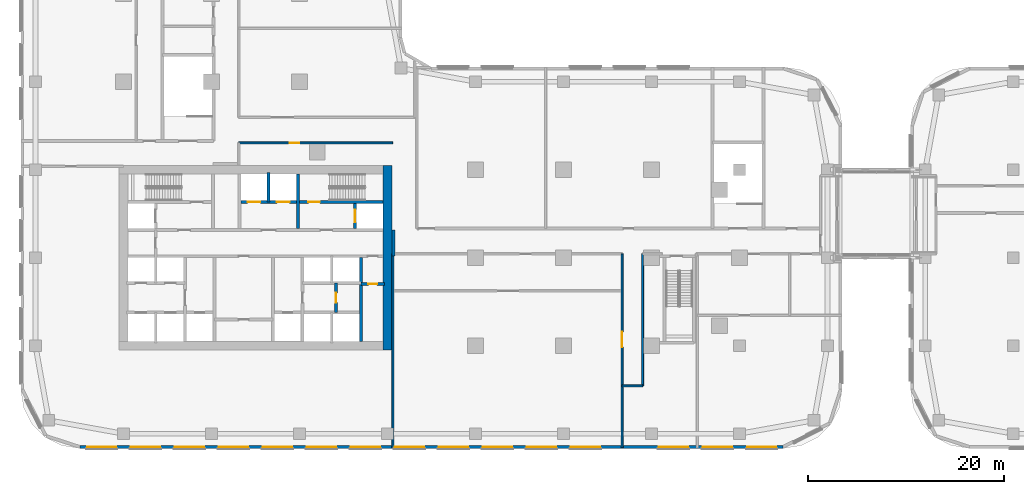
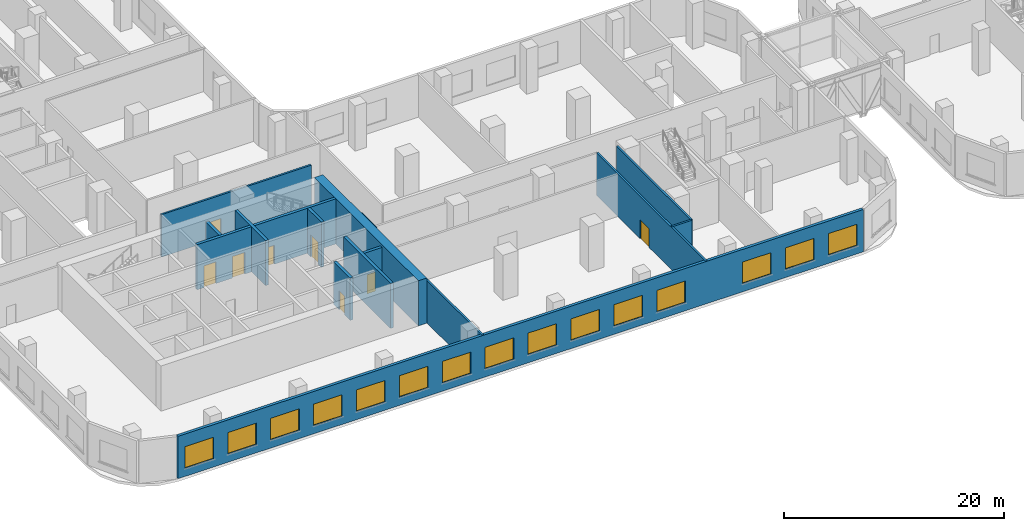
# One storey, part 7 of 33: 15 walls, 15 windows, 8 doors, 23 openings.
"""IFC4 building model written with IfcOpenShell, lengths in metres."""

from ifc_helpers import new_model, si_unit, direction, frame, frame_2d, origin, place, context, subcontext, project, spatial, rectangle, extrude, material, layer, layer_set, type_object, element, fill, save


model = new_model("IFC4")

# Units and contexts
model_context = context("Model", 3, precision=1e-05, world=origin(), true_north=direction((0.0, 1.0)))
body_context = subcontext(model_context, "Body", "Model", "MODEL_VIEW")
ifc_project = project(units=[si_unit("LENGTHUNIT", "METRE"), si_unit("AREAUNIT", "SQUARE_METRE"), si_unit("VOLUMEUNIT", "CUBIC_METRE"), si_unit("PLANEANGLEUNIT", "RADIAN"), si_unit("MASSUNIT", "GRAM", prefix="KILO")], contexts=[model_context])

# Site, building, storey
site_placement = place(None, origin())
site = spatial("IfcSite", under=ifc_project, at=site_placement, CompositionType="ELEMENT")
building_placement = place(site_placement, origin())
building = spatial("IfcBuilding", under=site, at=building_placement, Name="Ogive Portal Towers", CompositionType="ELEMENT")
storey_placement = place(building_placement, frame((0.0, 0.0, 28.5)))
storey = spatial("IfcBuildingStorey", under=building, at=storey_placement, Name="L05", CompositionType="ELEMENT", Elevation=28.5)

# Wall
ifc_material_1 = material(Name="Concrete C60/75", Category="concrete")
ifc_layer_1 = layer(ifc_material_1, 0.300048828125)
ifc_layer_set_1 = layer_set([ifc_layer_1], Name="CORE WALL 300 C60")
wall_type_1 = type_object("IfcWallType", Name="CORE WALL 300 C60", PredefinedType="SHEAR", material=ifc_layer_set_1)
wall_1_placement = place(storey_placement, frame((55.800048828125, 21.949951171875, 0.0), z_axis=(0.0, 0.0, 1.0), x_axis=(0.0, 1.0, 0.0)))
element("IfcWall", 1, at=wall_1_placement, inside=storey, type_object=wall_type_1, Name="Core wall X5 L05", PredefinedType="SHEAR", context=body_context, shape_type="SweptSolid", body=[
    extrude(rectangle(XDim=8.550048828125, YDim=0.300048828125, at=frame_2d((4.27490234375, 0.0))), origin(), (0.0, 0.0, 1.0), 5.0),
])

# Wall, openings, doors
wall_2_placement = place(storey_placement, frame((43.5, 36.199951171875, 0.0), z_axis=(0.0, 0.0, 1.0), x_axis=(1.0, 0.0, 0.0)))
wall_2 = element("IfcWall", 2, at=wall_2_placement, inside=storey, type_object=wall_type_1, Name="Core wall Y3b L05", PredefinedType="SHEAR", context=body_context, shape_type="SweptSolid", body=[
    extrude(rectangle(XDim=14.550048828125, YDim=0.300048828125, at=frame_2d((7.27490234375, 0.0))), origin(), (0.0, 0.0, 1.0), 5.0),
])
opening_1_placement = place(wall_2_placement, frame((6.89990234375, 0.0, 0.0)))
opening_1 = element("IfcOpeningElement", 3, at=opening_1_placement, cuts=wall_2, Name="Opening D107-006", PredefinedType="OPENING", context=body_context, shape_type="SweptSolid", body=[
    extrude(rectangle(XDim=1.199951171875, YDim=2.10009765625, at=frame_2d((0.60009765625, 1.050048828125))), frame((0.0, 0.16015625, 0.0), z_axis=(0.0, -1.0, 0.0), x_axis=(1.0, 0.0, 0.0)), (0.0, 0.0, 1.0), 0.320068359375),
])
opening_2_placement = place(wall_2_placement, frame((0.699951171875, 0.0, 0.0)))
opening_2 = element("IfcOpeningElement", 4, at=opening_2_placement, cuts=wall_2, Name="Opening D107-015", PredefinedType="OPENING", context=body_context, shape_type="SweptSolid", body=[
    extrude(rectangle(XDim=1.300048828125, YDim=2.39990234375, at=frame_2d((0.64990234375, 1.199951171875))), frame((0.0, 0.16015625, 0.0), z_axis=(0.0, -1.0, 0.0), x_axis=(1.0, 0.0, 0.0)), (0.0, 0.0, 1.0), 0.320068359375),
])
opening_3_placement = place(wall_2_placement, frame((3.699951171875, 0.0, 0.0)))
opening_3 = element("IfcOpeningElement", 5, at=opening_3_placement, cuts=wall_2, Name="Opening D107-016", PredefinedType="OPENING", context=body_context, shape_type="SweptSolid", body=[
    extrude(rectangle(XDim=1.300048828125, YDim=2.39990234375, at=frame_2d((0.64990234375, 1.199951171875))), frame((0.0, 0.16015625, 0.0), z_axis=(0.0, -1.0, 0.0), x_axis=(1.0, 0.0, 0.0)), (0.0, 0.0, 1.0), 0.320068359375),
])
ifc_material_2 = material(Name="Stainless steel", Category="steel")
door_type_1 = type_object("IfcDoorType", Name="DT-LD-1300x2400", OperationType="SLIDING_TO_LEFT", PredefinedType="DOOR", material=ifc_material_2)
door_1_placement = place(opening_2_placement, origin())
door_1 = element("IfcDoor", 6, at=door_1_placement, inside=storey, type_object=door_type_1, Name="Door D107-015", OperationType="SLIDING_TO_LEFT", OverallHeight=2.39990234375, OverallWidth=1.300048828125, PredefinedType="DOOR", context=body_context, shape_type="SweptSolid", body=[
    extrude(rectangle(XDim=1.300048828125, YDim=2.39990234375, at=frame_2d((0.64990234375, 1.199951171875))), frame((0.0, 0.02490234375, 0.0), z_axis=(0.0, -1.0, 0.0), x_axis=(1.0, 0.0, 0.0)), (0.0, 0.0, 1.0), 0.050048828125),
])
fill(opening_2, door_1)
door_2_placement = place(opening_3_placement, origin())
door_2 = element("IfcDoor", 7, at=door_2_placement, inside=storey, type_object=door_type_1, Name="Door D107-016", OperationType="SLIDING_TO_LEFT", OverallHeight=2.39990234375, OverallWidth=1.300048828125, PredefinedType="DOOR", context=body_context, shape_type="SweptSolid", body=[
    extrude(rectangle(XDim=1.300048828125, YDim=2.39990234375, at=frame_2d((0.64990234375, 1.199951171875))), frame((0.0, 0.02490234375, 0.0), z_axis=(0.0, -1.0, 0.0), x_axis=(1.0, 0.0, 0.0)), (0.0, 0.0, 1.0), 0.050048828125),
])
fill(opening_3, door_2)
ifc_material_3 = material(Name="Steel fire door", Category="steel")
door_type_2 = type_object("IfcDoorType", Name="DT-SWING-1200x2100-FD90S", OperationType="SINGLE_SWING_LEFT", PredefinedType="DOOR", material=ifc_material_3)
door_3_placement = place(opening_1_placement, origin())
door_3 = element("IfcDoor", 8, at=door_3_placement, inside=storey, type_object=door_type_2, Name="Door D107-006", OperationType="SINGLE_SWING_LEFT", OverallHeight=2.10009765625, OverallWidth=1.199951171875, PredefinedType="DOOR", context=body_context, shape_type="SweptSolid", body=[
    extrude(rectangle(XDim=1.199951171875, YDim=2.10009765625, at=frame_2d((0.60009765625, 1.050048828125))), frame((0.0, 0.02490234375, 0.0), z_axis=(0.0, -1.0, 0.0), x_axis=(1.0, 0.0, 0.0)), (0.0, 0.0, 1.0), 0.050048828125),
])
fill(opening_1, door_3)

# Wall
wall_3_placement = place(storey_placement, frame((49.35009765625, 33.5, 0.0), z_axis=(0.0, 0.0, 1.0), x_axis=(0.0, 1.0, 0.0)))
element("IfcWall", 9, at=wall_3_placement, inside=storey, type_object=wall_type_1, Name="Core wall X9 L05", PredefinedType="SHEAR", context=body_context, shape_type="SweptSolid", body=[
    extrude(rectangle(XDim=5.550048828125, YDim=0.300048828125, at=frame_2d((2.77490234375, 0.0))), origin(), (0.0, 0.0, 1.0), 5.0),
])

# Wall, opening, door
wall_4_placement = place(storey_placement, frame((55.199951171875, 33.5, 0.0), z_axis=(0.0, 0.0, 1.0), x_axis=(0.0, 1.0, 0.0)))
wall_4 = element("IfcWall", 10, at=wall_4_placement, inside=storey, type_object=wall_type_1, Name="Core wall X10 L05", PredefinedType="SHEAR", context=body_context, shape_type="SweptSolid", body=[
    extrude(rectangle(XDim=2.550048828125, YDim=0.300048828125, at=frame_2d((1.27490234375, 0.0))), origin(), (0.0, 0.0, 1.0), 5.0),
])
opening_4_placement = place(wall_4_placement, frame((0.625, 0.0, 0.0)))
opening_4 = element("IfcOpeningElement", 11, at=opening_4_placement, cuts=wall_4, Name="Opening D107-018", PredefinedType="OPENING", context=body_context, shape_type="SweptSolid", body=[
    extrude(rectangle(XDim=1.300048828125, YDim=2.39990234375, at=frame_2d((0.64990234375, 1.199951171875))), frame((0.0, 0.16015625, 0.0), z_axis=(0.0, -1.0, 0.0), x_axis=(1.0, 0.0, 0.0)), (0.0, 0.0, 1.0), 0.320068359375),
])
door_4_placement = place(opening_4_placement, origin())
door_4 = element("IfcDoor", 12, at=door_4_placement, inside=storey, type_object=door_type_1, Name="Door D107-018", OperationType="SLIDING_TO_LEFT", OverallHeight=2.39990234375, OverallWidth=1.300048828125, PredefinedType="DOOR", context=body_context, shape_type="SweptSolid", body=[
    extrude(rectangle(XDim=1.300048828125, YDim=2.39990234375, at=frame_2d((0.64990234375, 1.199951171875))), frame((0.0, 0.02490234375, 0.0), z_axis=(0.0, -1.0, 0.0), x_axis=(1.0, 0.0, 0.0)), (0.0, 0.0, 1.0), 0.050048828125),
])
fill(opening_4, door_4)

# Wall
ifc_layer_2 = layer(ifc_material_1, 0.89990234375)
ifc_layer_set_2 = layer_set([ifc_layer_2], Name="CORE WALL 900 C60")
wall_type_2 = type_object("IfcWallType", Name="CORE WALL 900 C60", PredefinedType="SHEAR", material=ifc_layer_set_2)
wall_5_placement = place(storey_placement, frame((58.5, 21.050048828125, 0.0), z_axis=(0.0, 0.0, 1.0), x_axis=(0.0, 1.0, 0.0)))
element("IfcWall", 13, at=wall_5_placement, inside=storey, type_object=wall_type_2, Name="Core wall E L05", PredefinedType="SHEAR", context=body_context, shape_type="SweptSolid", body=[
    extrude(rectangle(XDim=18.89990234375, YDim=0.89990234375, at=frame_2d((9.449951171875, 0.0))), origin(), (0.0, 0.0, 1.0), 5.0),
])

# Wall, openings, windows
ifc_material_4 = material(Name="Limestone cladding on lightweight block wall", Category="masonry")
ifc_layer_3 = layer(ifc_material_4, 0.300048828125)
ifc_layer_set_3 = layer_set([ifc_layer_3], Name="EXTERNAL WALL 300 STONE")
wall_type_3 = type_object("IfcWallType", Name="EXTERNAL WALL 300 STONE", PredefinedType="SOLIDWALL", material=ifc_layer_set_3)
wall_6_placement = place(storey_placement, frame((27.047607421875, 11.14990234375, 0.0), z_axis=(0.0, 0.0, 1.0), x_axis=(1.0, 0.0, 0.0)))
wall_6 = element("IfcWall", 14, at=wall_6_placement, inside=storey, type_object=wall_type_3, Name="A:L05:f02:w0", PredefinedType="SOLIDWALL", context=body_context, shape_type="SweptSolid", body=[
    extrude(rectangle(XDim=71.88037109375, YDim=0.300048828125, at=frame_2d((35.940185546875, 0.0))), origin(), (0.0, 0.0, 1.0), 4.699951171875),
])
opening_5_placement = place(wall_6_placement, frame((0.726318359375, 0.0, 0.89990234375)))
opening_5 = element("IfcOpeningElement", 15, at=opening_5_placement, cuts=wall_6, Name="Opening WN3", PredefinedType="OPENING", context=body_context, shape_type="SweptSolid", body=[
    extrude(rectangle(XDim=3.0, YDim=2.39990234375, at=frame_2d((1.5, 1.199951171875))), frame((0.0, 0.16015625, 0.0), z_axis=(0.0, -1.0, 0.0), x_axis=(1.0, 0.0, 0.0)), (0.0, 0.0, 1.0), 0.320068359375),
])
opening_6_placement = place(wall_6_placement, frame((5.202392578125, 0.0, 0.89990234375)))
opening_6 = element("IfcOpeningElement", 16, at=opening_6_placement, cuts=wall_6, Name="Opening WN3", PredefinedType="OPENING", context=body_context, shape_type="SweptSolid", body=[
    extrude(rectangle(XDim=3.0, YDim=2.39990234375, at=frame_2d((1.5, 1.199951171875))), frame((0.0, 0.16015625, 0.0), z_axis=(0.0, -1.0, 0.0), x_axis=(1.0, 0.0, 0.0)), (0.0, 0.0, 1.0), 0.320068359375),
])
opening_7_placement = place(wall_6_placement, frame((9.702392578125, 0.0, 0.89990234375)))
opening_7 = element("IfcOpeningElement", 17, at=opening_7_placement, cuts=wall_6, Name="Opening WN3", PredefinedType="OPENING", context=body_context, shape_type="SweptSolid", body=[
    extrude(rectangle(XDim=3.0, YDim=2.39990234375, at=frame_2d((1.5, 1.199951171875))), frame((0.0, 0.16015625, 0.0), z_axis=(0.0, -1.0, 0.0), x_axis=(1.0, 0.0, 0.0)), (0.0, 0.0, 1.0), 0.320068359375),
])
opening_8_placement = place(wall_6_placement, frame((14.202392578125, 0.0, 0.89990234375)))
opening_8 = element("IfcOpeningElement", 18, at=opening_8_placement, cuts=wall_6, Name="Opening WN3", PredefinedType="OPENING", context=body_context, shape_type="SweptSolid", body=[
    extrude(rectangle(XDim=3.0, YDim=2.39990234375, at=frame_2d((1.5, 1.199951171875))), frame((0.0, 0.16015625, 0.0), z_axis=(0.0, -1.0, 0.0), x_axis=(1.0, 0.0, 0.0)), (0.0, 0.0, 1.0), 0.320068359375),
])
opening_9_placement = place(wall_6_placement, frame((18.702392578125, 0.0, 0.89990234375)))
opening_9 = element("IfcOpeningElement", 19, at=opening_9_placement, cuts=wall_6, Name="Opening WN3", PredefinedType="OPENING", context=body_context, shape_type="SweptSolid", body=[
    extrude(rectangle(XDim=3.0, YDim=2.39990234375, at=frame_2d((1.5, 1.199951171875))), frame((0.0, 0.16015625, 0.0), z_axis=(0.0, -1.0, 0.0), x_axis=(1.0, 0.0, 0.0)), (0.0, 0.0, 1.0), 0.320068359375),
])
opening_10_placement = place(wall_6_placement, frame((23.202392578125, 0.0, 0.89990234375)))
opening_10 = element("IfcOpeningElement", 20, at=opening_10_placement, cuts=wall_6, Name="Opening WN3", PredefinedType="OPENING", context=body_context, shape_type="SweptSolid", body=[
    extrude(rectangle(XDim=3.0, YDim=2.39990234375, at=frame_2d((1.5, 1.199951171875))), frame((0.0, 0.16015625, 0.0), z_axis=(0.0, -1.0, 0.0), x_axis=(1.0, 0.0, 0.0)), (0.0, 0.0, 1.0), 0.320068359375),
])
opening_11_placement = place(wall_6_placement, frame((27.702392578125, 0.0, 0.89990234375)))
opening_11 = element("IfcOpeningElement", 21, at=opening_11_placement, cuts=wall_6, Name="Opening WN3", PredefinedType="OPENING", context=body_context, shape_type="SweptSolid", body=[
    extrude(rectangle(XDim=3.0, YDim=2.39990234375, at=frame_2d((1.5, 1.199951171875))), frame((0.0, 0.16015625, 0.0), z_axis=(0.0, -1.0, 0.0), x_axis=(1.0, 0.0, 0.0)), (0.0, 0.0, 1.0), 0.320068359375),
])
opening_12_placement = place(wall_6_placement, frame((32.202392578125, 0.0, 0.89990234375)))
opening_12 = element("IfcOpeningElement", 22, at=opening_12_placement, cuts=wall_6, Name="Opening WN3", PredefinedType="OPENING", context=body_context, shape_type="SweptSolid", body=[
    extrude(rectangle(XDim=3.0, YDim=2.39990234375, at=frame_2d((1.5, 1.199951171875))), frame((0.0, 0.16015625, 0.0), z_axis=(0.0, -1.0, 0.0), x_axis=(1.0, 0.0, 0.0)), (0.0, 0.0, 1.0), 0.320068359375),
])
opening_13_placement = place(wall_6_placement, frame((36.702392578125, 0.0, 0.89990234375)))
opening_13 = element("IfcOpeningElement", 23, at=opening_13_placement, cuts=wall_6, Name="Opening WN3", PredefinedType="OPENING", context=body_context, shape_type="SweptSolid", body=[
    extrude(rectangle(XDim=3.0, YDim=2.39990234375, at=frame_2d((1.5, 1.199951171875))), frame((0.0, 0.16015625, 0.0), z_axis=(0.0, -1.0, 0.0), x_axis=(1.0, 0.0, 0.0)), (0.0, 0.0, 1.0), 0.320068359375),
])
opening_14_placement = place(wall_6_placement, frame((41.202392578125, 0.0, 0.89990234375)))
opening_14 = element("IfcOpeningElement", 24, at=opening_14_placement, cuts=wall_6, Name="Opening WN3", PredefinedType="OPENING", context=body_context, shape_type="SweptSolid", body=[
    extrude(rectangle(XDim=3.0, YDim=2.39990234375, at=frame_2d((1.5, 1.199951171875))), frame((0.0, 0.16015625, 0.0), z_axis=(0.0, -1.0, 0.0), x_axis=(1.0, 0.0, 0.0)), (0.0, 0.0, 1.0), 0.320068359375),
])
opening_15_placement = place(wall_6_placement, frame((45.702392578125, 0.0, 0.89990234375)))
opening_15 = element("IfcOpeningElement", 25, at=opening_15_placement, cuts=wall_6, Name="Opening WN3", PredefinedType="OPENING", context=body_context, shape_type="SweptSolid", body=[
    extrude(rectangle(XDim=3.0, YDim=2.39990234375, at=frame_2d((1.5, 1.199951171875))), frame((0.0, 0.16015625, 0.0), z_axis=(0.0, -1.0, 0.0), x_axis=(1.0, 0.0, 0.0)), (0.0, 0.0, 1.0), 0.320068359375),
])
opening_16_placement = place(wall_6_placement, frame((50.202392578125, 0.0, 0.89990234375)))
opening_16 = element("IfcOpeningElement", 26, at=opening_16_placement, cuts=wall_6, Name="Opening WN3", PredefinedType="OPENING", context=body_context, shape_type="SweptSolid", body=[
    extrude(rectangle(XDim=3.0, YDim=2.39990234375, at=frame_2d((1.5, 1.199951171875))), frame((0.0, 0.16015625, 0.0), z_axis=(0.0, -1.0, 0.0), x_axis=(1.0, 0.0, 0.0)), (0.0, 0.0, 1.0), 0.320068359375),
])
opening_17_placement = place(wall_6_placement, frame((59.202392578125, 0.0, 0.89990234375)))
opening_17 = element("IfcOpeningElement", 27, at=opening_17_placement, cuts=wall_6, Name="Opening WN3", PredefinedType="OPENING", context=body_context, shape_type="SweptSolid", body=[
    extrude(rectangle(XDim=3.0, YDim=2.39990234375, at=frame_2d((1.5, 1.199951171875))), frame((0.0, 0.16015625, 0.0), z_axis=(0.0, -1.0, 0.0), x_axis=(1.0, 0.0, 0.0)), (0.0, 0.0, 1.0), 0.320068359375),
])
opening_18_placement = place(wall_6_placement, frame((63.702392578125, 0.0, 0.89990234375)))
opening_18 = element("IfcOpeningElement", 28, at=opening_18_placement, cuts=wall_6, Name="Opening WN3", PredefinedType="OPENING", context=body_context, shape_type="SweptSolid", body=[
    extrude(rectangle(XDim=3.0, YDim=2.39990234375, at=frame_2d((1.5, 1.199951171875))), frame((0.0, 0.16015625, 0.0), z_axis=(0.0, -1.0, 0.0), x_axis=(1.0, 0.0, 0.0)), (0.0, 0.0, 1.0), 0.320068359375),
])
opening_19_placement = place(wall_6_placement, frame((68.226318359375, 0.0, 0.89990234375)))
opening_19 = element("IfcOpeningElement", 29, at=opening_19_placement, cuts=wall_6, Name="Opening WN3", PredefinedType="OPENING", context=body_context, shape_type="SweptSolid", body=[
    extrude(rectangle(XDim=3.0, YDim=2.39990234375, at=frame_2d((1.5, 1.199951171875))), frame((0.0, 0.16015625, 0.0), z_axis=(0.0, -1.0, 0.0), x_axis=(1.0, 0.0, 0.0)), (0.0, 0.0, 1.0), 0.320068359375),
])
ifc_material_5 = material(Name="Glass, clear low-iron insulated glazing", Category="glass")
window_type = type_object("IfcWindowType", Name="WINDOW PODIUM 3000x2400", PartitioningType="SINGLE_PANEL", PredefinedType="WINDOW", material=ifc_material_5)
window_1_placement = place(opening_5_placement, origin())
window_1 = element("IfcWindow", 30, at=window_1_placement, inside=storey, type_object=window_type, Name="A:L05:f02:w0:o0", OverallHeight=2.39990234375, OverallWidth=3.0, PartitioningType="SINGLE_PANEL", PredefinedType="WINDOW", context=body_context, shape_type="SweptSolid", body=[
    extrude(rectangle(XDim=3.0, YDim=2.39990234375, at=frame_2d((1.5, 1.199951171875))), frame((0.0, 0.030029296875, 0.0), z_axis=(0.0, -1.0, 0.0), x_axis=(1.0, 0.0, 0.0)), (0.0, 0.0, 1.0), 0.06005859375),
])
fill(opening_5, window_1)
window_2_placement = place(opening_6_placement, origin())
window_2 = element("IfcWindow", 31, at=window_2_placement, inside=storey, type_object=window_type, Name="A:L05:f02:w0:o1a", OverallHeight=2.39990234375, OverallWidth=3.0, PartitioningType="SINGLE_PANEL", PredefinedType="WINDOW", context=body_context, shape_type="SweptSolid", body=[
    extrude(rectangle(XDim=3.0, YDim=2.39990234375, at=frame_2d((1.5, 1.199951171875))), frame((0.0, 0.030029296875, 0.0), z_axis=(0.0, -1.0, 0.0), x_axis=(1.0, 0.0, 0.0)), (0.0, 0.0, 1.0), 0.06005859375),
])
fill(opening_6, window_2)
window_3_placement = place(opening_7_placement, origin())
window_3 = element("IfcWindow", 32, at=window_3_placement, inside=storey, type_object=window_type, Name="A:L05:f02:w0:o1b", OverallHeight=2.39990234375, OverallWidth=3.0, PartitioningType="SINGLE_PANEL", PredefinedType="WINDOW", context=body_context, shape_type="SweptSolid", body=[
    extrude(rectangle(XDim=3.0, YDim=2.39990234375, at=frame_2d((1.5, 1.199951171875))), frame((0.0, 0.030029296875, 0.0), z_axis=(0.0, -1.0, 0.0), x_axis=(1.0, 0.0, 0.0)), (0.0, 0.0, 1.0), 0.06005859375),
])
fill(opening_7, window_3)
window_4_placement = place(opening_8_placement, origin())
window_4 = element("IfcWindow", 33, at=window_4_placement, inside=storey, type_object=window_type, Name="A:L05:f02:w0:o2a", OverallHeight=2.39990234375, OverallWidth=3.0, PartitioningType="SINGLE_PANEL", PredefinedType="WINDOW", context=body_context, shape_type="SweptSolid", body=[
    extrude(rectangle(XDim=3.0, YDim=2.39990234375, at=frame_2d((1.5, 1.199951171875))), frame((0.0, 0.030029296875, 0.0), z_axis=(0.0, -1.0, 0.0), x_axis=(1.0, 0.0, 0.0)), (0.0, 0.0, 1.0), 0.06005859375),
])
fill(opening_8, window_4)
window_5_placement = place(opening_9_placement, origin())
window_5 = element("IfcWindow", 34, at=window_5_placement, inside=storey, type_object=window_type, Name="A:L05:f02:w0:o2b", OverallHeight=2.39990234375, OverallWidth=3.0, PartitioningType="SINGLE_PANEL", PredefinedType="WINDOW", context=body_context, shape_type="SweptSolid", body=[
    extrude(rectangle(XDim=3.0, YDim=2.39990234375, at=frame_2d((1.5, 1.199951171875))), frame((0.0, 0.030029296875, 0.0), z_axis=(0.0, -1.0, 0.0), x_axis=(1.0, 0.0, 0.0)), (0.0, 0.0, 1.0), 0.06005859375),
])
fill(opening_9, window_5)
window_6_placement = place(opening_10_placement, origin())
window_6 = element("IfcWindow", 35, at=window_6_placement, inside=storey, type_object=window_type, Name="A:L05:f02:w0:o3a", OverallHeight=2.39990234375, OverallWidth=3.0, PartitioningType="SINGLE_PANEL", PredefinedType="WINDOW", context=body_context, shape_type="SweptSolid", body=[
    extrude(rectangle(XDim=3.0, YDim=2.39990234375, at=frame_2d((1.5, 1.199951171875))), frame((0.0, 0.030029296875, 0.0), z_axis=(0.0, -1.0, 0.0), x_axis=(1.0, 0.0, 0.0)), (0.0, 0.0, 1.0), 0.06005859375),
])
fill(opening_10, window_6)
window_7_placement = place(opening_11_placement, origin())
window_7 = element("IfcWindow", 36, at=window_7_placement, inside=storey, type_object=window_type, Name="A:L05:f02:w0:o3b", OverallHeight=2.39990234375, OverallWidth=3.0, PartitioningType="SINGLE_PANEL", PredefinedType="WINDOW", context=body_context, shape_type="SweptSolid", body=[
    extrude(rectangle(XDim=3.0, YDim=2.39990234375, at=frame_2d((1.5, 1.199951171875))), frame((0.0, 0.030029296875, 0.0), z_axis=(0.0, -1.0, 0.0), x_axis=(1.0, 0.0, 0.0)), (0.0, 0.0, 1.0), 0.06005859375),
])
fill(opening_11, window_7)
window_8_placement = place(opening_12_placement, origin())
window_8 = element("IfcWindow", 37, at=window_8_placement, inside=storey, type_object=window_type, Name="A:L05:f02:w0:o4a", OverallHeight=2.39990234375, OverallWidth=3.0, PartitioningType="SINGLE_PANEL", PredefinedType="WINDOW", context=body_context, shape_type="SweptSolid", body=[
    extrude(rectangle(XDim=3.0, YDim=2.39990234375, at=frame_2d((1.5, 1.199951171875))), frame((0.0, 0.030029296875, 0.0), z_axis=(0.0, -1.0, 0.0), x_axis=(1.0, 0.0, 0.0)), (0.0, 0.0, 1.0), 0.06005859375),
])
fill(opening_12, window_8)
window_9_placement = place(opening_13_placement, origin())
window_9 = element("IfcWindow", 38, at=window_9_placement, inside=storey, type_object=window_type, Name="A:L05:f02:w0:o4b", OverallHeight=2.39990234375, OverallWidth=3.0, PartitioningType="SINGLE_PANEL", PredefinedType="WINDOW", context=body_context, shape_type="SweptSolid", body=[
    extrude(rectangle(XDim=3.0, YDim=2.39990234375, at=frame_2d((1.5, 1.199951171875))), frame((0.0, 0.030029296875, 0.0), z_axis=(0.0, -1.0, 0.0), x_axis=(1.0, 0.0, 0.0)), (0.0, 0.0, 1.0), 0.06005859375),
])
fill(opening_13, window_9)
window_10_placement = place(opening_14_placement, origin())
window_10 = element("IfcWindow", 39, at=window_10_placement, inside=storey, type_object=window_type, Name="A:L05:f02:w0:o5a", OverallHeight=2.39990234375, OverallWidth=3.0, PartitioningType="SINGLE_PANEL", PredefinedType="WINDOW", context=body_context, shape_type="SweptSolid", body=[
    extrude(rectangle(XDim=3.0, YDim=2.39990234375, at=frame_2d((1.5, 1.199951171875))), frame((0.0, 0.030029296875, 0.0), z_axis=(0.0, -1.0, 0.0), x_axis=(1.0, 0.0, 0.0)), (0.0, 0.0, 1.0), 0.06005859375),
])
fill(opening_14, window_10)
window_11_placement = place(opening_15_placement, origin())
window_11 = element("IfcWindow", 40, at=window_11_placement, inside=storey, type_object=window_type, Name="A:L05:f02:w0:o5b", OverallHeight=2.39990234375, OverallWidth=3.0, PartitioningType="SINGLE_PANEL", PredefinedType="WINDOW", context=body_context, shape_type="SweptSolid", body=[
    extrude(rectangle(XDim=3.0, YDim=2.39990234375, at=frame_2d((1.5, 1.199951171875))), frame((0.0, 0.030029296875, 0.0), z_axis=(0.0, -1.0, 0.0), x_axis=(1.0, 0.0, 0.0)), (0.0, 0.0, 1.0), 0.06005859375),
])
fill(opening_15, window_11)
window_12_placement = place(opening_16_placement, origin())
window_12 = element("IfcWindow", 41, at=window_12_placement, inside=storey, type_object=window_type, Name="A:L05:f02:w0:o6a", OverallHeight=2.39990234375, OverallWidth=3.0, PartitioningType="SINGLE_PANEL", PredefinedType="WINDOW", context=body_context, shape_type="SweptSolid", body=[
    extrude(rectangle(XDim=3.0, YDim=2.39990234375, at=frame_2d((1.5, 1.199951171875))), frame((0.0, 0.030029296875, 0.0), z_axis=(0.0, -1.0, 0.0), x_axis=(1.0, 0.0, 0.0)), (0.0, 0.0, 1.0), 0.06005859375),
])
fill(opening_16, window_12)
window_13_placement = place(opening_17_placement, origin())
window_13 = element("IfcWindow", 42, at=window_13_placement, inside=storey, type_object=window_type, Name="A:L05:f02:w0:o7a", OverallHeight=2.39990234375, OverallWidth=3.0, PartitioningType="SINGLE_PANEL", PredefinedType="WINDOW", context=body_context, shape_type="SweptSolid", body=[
    extrude(rectangle(XDim=3.0, YDim=2.39990234375, at=frame_2d((1.5, 1.199951171875))), frame((0.0, 0.030029296875, 0.0), z_axis=(0.0, -1.0, 0.0), x_axis=(1.0, 0.0, 0.0)), (0.0, 0.0, 1.0), 0.06005859375),
])
fill(opening_17, window_13)
window_14_placement = place(opening_18_placement, origin())
window_14 = element("IfcWindow", 43, at=window_14_placement, inside=storey, type_object=window_type, Name="A:L05:f02:w0:o7b", OverallHeight=2.39990234375, OverallWidth=3.0, PartitioningType="SINGLE_PANEL", PredefinedType="WINDOW", context=body_context, shape_type="SweptSolid", body=[
    extrude(rectangle(XDim=3.0, YDim=2.39990234375, at=frame_2d((1.5, 1.199951171875))), frame((0.0, 0.030029296875, 0.0), z_axis=(0.0, -1.0, 0.0), x_axis=(1.0, 0.0, 0.0)), (0.0, 0.0, 1.0), 0.06005859375),
])
fill(opening_18, window_14)
window_15_placement = place(opening_19_placement, origin())
window_15 = element("IfcWindow", 44, at=window_15_placement, inside=storey, type_object=window_type, Name="A:L05:f02:w0:o8", OverallHeight=2.39990234375, OverallWidth=3.0, PartitioningType="SINGLE_PANEL", PredefinedType="WINDOW", context=body_context, shape_type="SweptSolid", body=[
    extrude(rectangle(XDim=3.0, YDim=2.39990234375, at=frame_2d((1.5, 1.199951171875))), frame((0.0, 0.030029296875, 0.0), z_axis=(0.0, -1.0, 0.0), x_axis=(1.0, 0.0, 0.0)), (0.0, 0.0, 1.0), 0.06005859375),
])
fill(opening_19, window_15)

# Wall
ifc_material_6 = material(Name="Gypsum board partition on steel studs", Category="steel")
ifc_layer_4 = layer(ifc_material_6, 0.199951171875)
ifc_layer_set_4 = layer_set([ifc_layer_4], Name="WT-PART-200-EI 60")
wall_type_4 = type_object("IfcWallType", Name="WT-PART-200-EI 60", PredefinedType="PARTITIONING", material=ifc_layer_set_4)
wall_7_placement = place(storey_placement, frame((82.5, 17.39990234375, 0.0), z_axis=(0.0, 0.0, 1.0), x_axis=(1.0, 0.0, 0.0)))
element("IfcWall", 45, at=wall_7_placement, inside=storey, type_object=wall_type_4, Name="Wall L05:w001", PredefinedType="PARTITIONING", context=body_context, shape_type="SweptSolid", body=[
    extrude(rectangle(XDim=2.10009765625, YDim=0.199951171875, at=frame_2d((1.050048828125, 0.0))), origin(), (0.0, 0.0, 1.0), 4.699951171875),
])

# Wall, opening, door
wall_8_placement = place(storey_placement, frame((43.300048828125, 42.25, 0.0), z_axis=(0.0, 0.0, 1.0), x_axis=(1.0, 0.0, 0.0)))
wall_8 = element("IfcWall", 46, at=wall_8_placement, inside=storey, type_object=wall_type_4, Name="Wall L05:w037", PredefinedType="PARTITIONING", context=body_context, shape_type="SweptSolid", body=[
    extrude(rectangle(XDim=15.719970703125, YDim=0.199951171875, at=frame_2d((7.85986328125, 0.0))), origin(), (0.0, 0.0, 1.0), 4.699951171875),
])
opening_20_placement = place(wall_8_placement, frame((5.199951171875, 0.0, 0.0)))
opening_20 = element("IfcOpeningElement", 47, at=opening_20_placement, cuts=wall_8, Name="Opening P05-006", PredefinedType="OPENING", context=body_context, shape_type="SweptSolid", body=[
    extrude(rectangle(XDim=1.0, YDim=2.10009765625, at=frame_2d((0.5, 1.050048828125))), frame((0.0, 0.10986328125, 0.0), z_axis=(0.0, -1.0, 0.0), x_axis=(1.0, 0.0, 0.0)), (0.0, 0.0, 1.0), 0.219970703125),
])
door_type_3 = type_object("IfcDoorType", Name="DT-SWING-1000x2100-FD60S", OperationType="SINGLE_SWING_LEFT", PredefinedType="DOOR", material=ifc_material_3)
door_5_placement = place(opening_20_placement, origin())
door_5 = element("IfcDoor", 48, at=door_5_placement, inside=storey, type_object=door_type_3, Name="Door P05-006", OperationType="SINGLE_SWING_RIGHT", OverallHeight=2.10009765625, OverallWidth=1.0, PredefinedType="DOOR", context=body_context, shape_type="SweptSolid", body=[
    extrude(rectangle(XDim=1.0, YDim=2.10009765625, at=frame_2d((0.5, 1.050048828125))), frame((0.0, 0.02490234375, 0.0), z_axis=(0.0, -1.0, 0.0), x_axis=(1.0, 0.0, 0.0)), (0.0, 0.0, 1.0), 0.050048828125),
])
fill(opening_20, door_5)

# Wall
wall_9_placement = place(storey_placement, frame((59.050048828125, 11.070068359375, 0.0), z_axis=(0.0, 0.0, 1.0), x_axis=(0.0, 1.0, 0.0)))
element("IfcWall", 49, at=wall_9_placement, inside=storey, type_object=wall_type_4, Name="Wall L05:w093", PredefinedType="PARTITIONING", context=body_context, shape_type="SweptSolid", body=[
    extrude(rectangle(XDim=19.829833984375, YDim=0.199951171875, at=frame_2d((9.9150390625, 0.0))), origin(), (0.0, 0.0, 1.0), 4.699951171875),
])

# Wall, opening, door
wall_10_placement = place(storey_placement, frame((82.5, 11.070068359375, 0.0), z_axis=(0.0, 0.0, 1.0), x_axis=(0.0, 1.0, 0.0)))
wall_10 = element("IfcWall", 50, at=wall_10_placement, inside=storey, type_object=wall_type_4, Name="Wall L05:w097", PredefinedType="PARTITIONING", context=body_context, shape_type="SweptSolid", body=[
    extrude(rectangle(XDim=19.829833984375, YDim=0.199951171875, at=frame_2d((9.9150390625, 0.0))), origin(), (0.0, 0.0, 1.0), 4.699951171875),
])
opening_21_placement = place(wall_10_placement, frame((10.280029296875, 0.0, 0.0)))
opening_21 = element("IfcOpeningElement", 51, at=opening_21_placement, cuts=wall_10, Name="Opening P05-010", PredefinedType="OPENING", context=body_context, shape_type="SweptSolid", body=[
    extrude(rectangle(XDim=1.60009765625, YDim=2.10009765625, at=frame_2d((0.800048828125, 1.050048828125))), frame((0.0, 0.10986328125, 0.0), z_axis=(0.0, -1.0, 0.0), x_axis=(1.0, 0.0, 0.0)), (0.0, 0.0, 1.0), 0.219970703125),
])
door_type_4 = type_object("IfcDoorType", Name="DT-SWING-1600x2100-FD60S", OperationType="SINGLE_SWING_LEFT", PredefinedType="DOOR", material=ifc_material_3)
door_6_placement = place(opening_21_placement, origin())
door_6 = element("IfcDoor", 52, at=door_6_placement, inside=storey, type_object=door_type_4, Name="Door P05-010", OperationType="SINGLE_SWING_RIGHT", OverallHeight=2.10009765625, OverallWidth=1.60009765625, PredefinedType="DOOR", context=body_context, shape_type="SweptSolid", body=[
    extrude(rectangle(XDim=1.60009765625, YDim=2.10009765625, at=frame_2d((0.800048828125, 1.050048828125))), frame((0.0, 0.02490234375, 0.0), z_axis=(0.0, -1.0, 0.0), x_axis=(1.0, 0.0, 0.0)), (0.0, 0.0, 1.0), 0.050048828125),
])
fill(opening_21, door_6)

# Wall
wall_11_placement = place(storey_placement, frame((84.60009765625, 17.39990234375, 0.0), z_axis=(0.0, 0.0, 1.0), x_axis=(0.0, 1.0, 0.0)))
element("IfcWall", 53, at=wall_11_placement, inside=storey, type_object=wall_type_4, Name="Wall L05:w098", PredefinedType="PARTITIONING", context=body_context, shape_type="SweptSolid", body=[
    extrude(rectangle(XDim=13.5, YDim=0.199951171875, at=frame_2d((6.75, 0.0))), origin(), (0.0, 0.0, 1.0), 4.699951171875),
])

# Wall, opening, door
ifc_layer_5 = layer(ifc_material_6, 0.300048828125)
ifc_layer_set_5 = layer_set([ifc_layer_5], Name="WT-PART-300")
wall_type_5 = type_object("IfcWallType", Name="WT-PART-300", PredefinedType="PARTITIONING", material=ifc_layer_set_5)
wall_12_placement = place(storey_placement, frame((55.800048828125, 27.800048828125, 0.0), z_axis=(0.0, 0.0, 1.0), x_axis=(1.0, 0.0, 0.0)))
wall_12 = element("IfcWall", 54, at=wall_12_placement, inside=storey, type_object=wall_type_5, Name="Wall pw:004:L05", PredefinedType="PARTITIONING", context=body_context, shape_type="SweptSolid", body=[
    extrude(rectangle(XDim=2.39990234375, YDim=0.300048828125, at=frame_2d((1.199951171875, 0.0))), origin(), (0.0, 0.0, 1.0), 4.699951171875),
])
opening_22_placement = place(wall_12_placement, frame((0.75, 0.0, 0.0)))
opening_22 = element("IfcOpeningElement", 55, at=opening_22_placement, cuts=wall_12, Name="Opening D107-010", PredefinedType="OPENING", context=body_context, shape_type="SweptSolid", body=[
    extrude(rectangle(XDim=0.89990234375, YDim=2.10009765625, at=frame_2d((0.449951171875, 1.050048828125))), frame((0.0, 0.16015625, 0.0), z_axis=(0.0, -1.0, 0.0), x_axis=(1.0, 0.0, 0.0)), (0.0, 0.0, 1.0), 0.320068359375),
])
door_type_5 = type_object("IfcDoorType", Name="DT-SWING-900x2100-FD60S", OperationType="SINGLE_SWING_LEFT", PredefinedType="DOOR", material=ifc_material_3)
door_7_placement = place(opening_22_placement, origin())
door_7 = element("IfcDoor", 56, at=door_7_placement, inside=storey, type_object=door_type_5, Name="Door D107-010", OperationType="SINGLE_SWING_RIGHT", OverallHeight=2.10009765625, OverallWidth=0.89990234375, PredefinedType="DOOR", context=body_context, shape_type="SweptSolid", body=[
    extrude(rectangle(XDim=0.89990234375, YDim=2.10009765625, at=frame_2d((0.449951171875, 1.050048828125))), frame((0.0, 0.02490234375, 0.0), z_axis=(0.0, -1.0, 0.0), x_axis=(1.0, 0.0, 0.0)), (0.0, 0.0, 1.0), 0.050048828125),
])
fill(opening_22, door_7)

# Walls
wall_13_placement = place(storey_placement, frame((59.10009765625, 30.64990234375, 0.0), z_axis=(0.0, 0.0, 1.0), x_axis=(0.0, 1.0, 0.0)))
element("IfcWall", 57, at=wall_13_placement, inside=storey, type_object=wall_type_5, Name="Wall pw:018:L05", PredefinedType="PARTITIONING", context=body_context, shape_type="SweptSolid", body=[
    extrude(rectangle(XDim=2.7001953125, YDim=0.300048828125, at=frame_2d((1.35009765625, 0.0))), origin(), (0.0, 0.0, 1.0), 4.699951171875),
])
ifc_material_7 = material(Name="Concrete C40/50", Category="concrete")
ifc_layer_6 = layer(ifc_material_7, 0.300048828125)
ifc_layer_set_6 = layer_set([ifc_layer_6], Name="WT-SHAFT-300")
wall_type_6 = type_object("IfcWallType", Name="WT-SHAFT-300", PredefinedType="SOLIDWALL", material=ifc_layer_set_6)
wall_14_placement = place(storey_placement, frame((46.35009765625, 36.199951171875, 0.0), z_axis=(0.0, 0.0, 1.0), x_axis=(0.0, 1.0, 0.0)))
element("IfcWall", 58, at=wall_14_placement, inside=storey, type_object=wall_type_6, Name="Wall pw:014:L05", PredefinedType="SOLIDWALL", context=body_context, shape_type="SweptSolid", body=[
    extrude(rectangle(XDim=3.0, YDim=0.300048828125, at=frame_2d((1.5, 0.0))), origin(), (0.0, 0.0, 1.0), 4.699951171875),
])

# Wall, opening, door
wall_15_placement = place(storey_placement, frame((53.25, 24.89990234375, 0.0), z_axis=(0.0, 0.0, 1.0), x_axis=(0.0, 1.0, 0.0)))
wall_15 = element("IfcWall", 59, at=wall_15_placement, inside=storey, type_object=wall_type_6, Name="Wall pw:017:L05", PredefinedType="SOLIDWALL", context=body_context, shape_type="SweptSolid", body=[
    extrude(rectangle(XDim=3.0, YDim=0.300048828125, at=frame_2d((1.5, 0.0))), origin(), (0.0, 0.0, 1.0), 4.699951171875),
])
opening_23_placement = place(wall_15_placement, frame((1.0, 0.0, 0.0)))
opening_23 = element("IfcOpeningElement", 60, at=opening_23_placement, cuts=wall_15, Name="Opening D107-022", PredefinedType="OPENING", context=body_context, shape_type="SweptSolid", body=[
    extrude(rectangle(XDim=1.0, YDim=2.10009765625, at=frame_2d((0.5, 1.050048828125))), frame((0.0, 0.16015625, 0.0), z_axis=(0.0, -1.0, 0.0), x_axis=(1.0, 0.0, 0.0)), (0.0, 0.0, 1.0), 0.320068359375),
])
door_type_6 = type_object("IfcDoorType", Name="DT-SWING-1000x2100-FD90S", OperationType="SINGLE_SWING_LEFT", PredefinedType="DOOR", material=ifc_material_3)
door_8_placement = place(opening_23_placement, origin())
door_8 = element("IfcDoor", 61, at=door_8_placement, inside=storey, type_object=door_type_6, Name="Door D107-022", OperationType="SINGLE_SWING_RIGHT", OverallHeight=2.10009765625, OverallWidth=1.0, PredefinedType="DOOR", context=body_context, shape_type="SweptSolid", body=[
    extrude(rectangle(XDim=1.0, YDim=2.10009765625, at=frame_2d((0.5, 1.050048828125))), frame((0.0, 0.02490234375, 0.0), z_axis=(0.0, -1.0, 0.0), x_axis=(1.0, 0.0, 0.0)), (0.0, 0.0, 1.0), 0.050048828125),
])
fill(opening_23, door_8)

save(model, "model.ifc")
